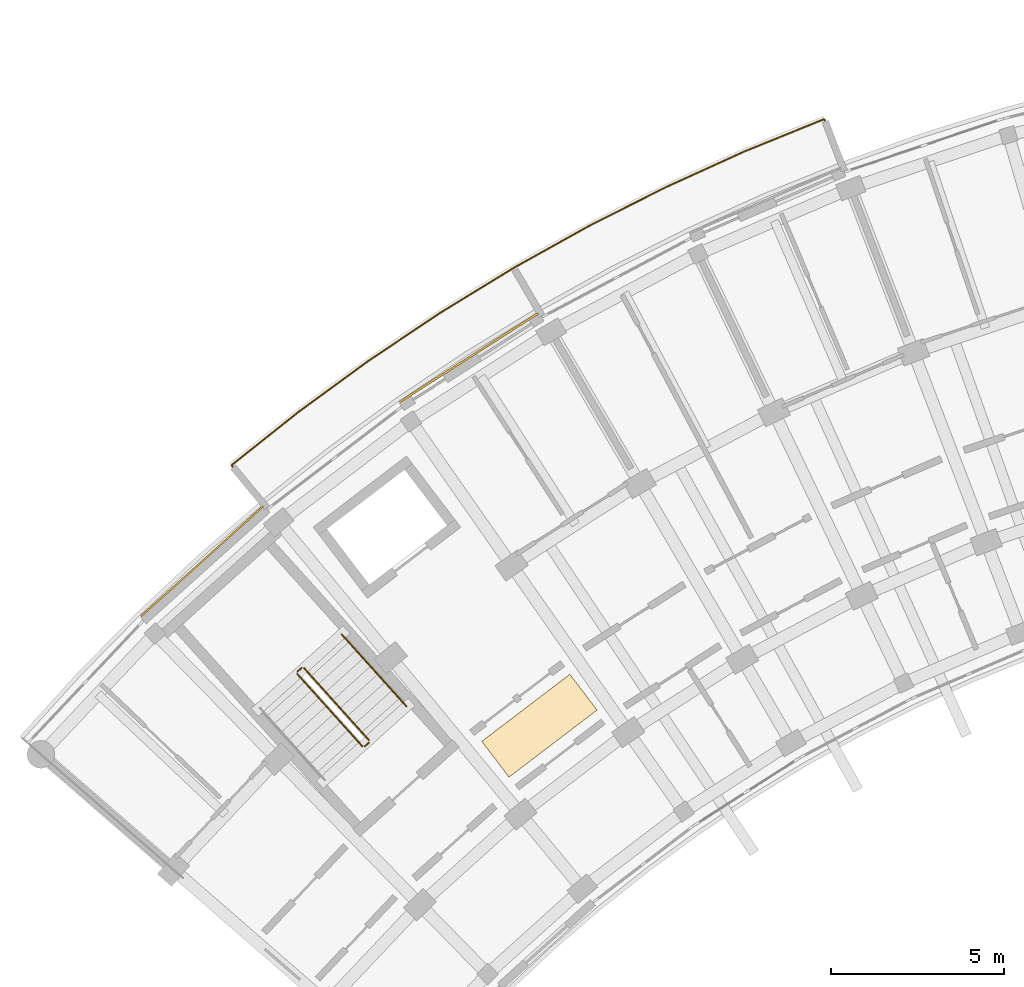
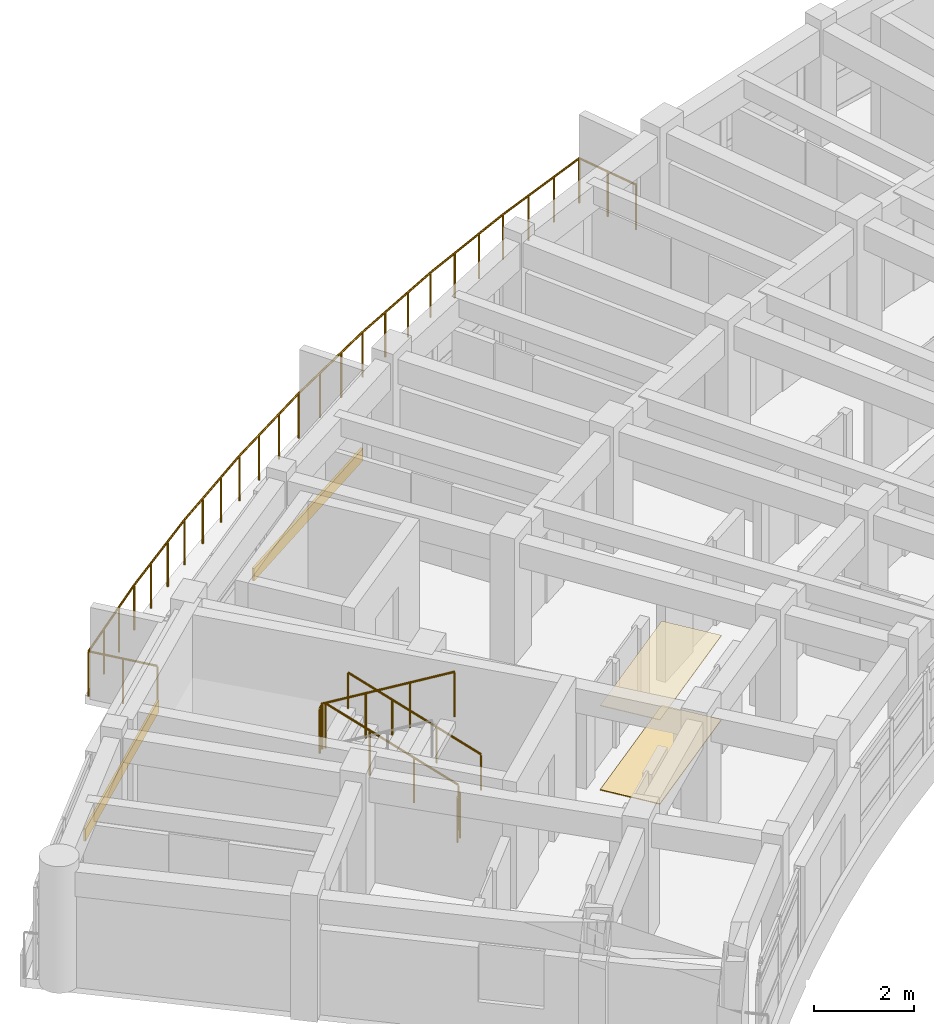
# One storey, part 43 of 55: 6 railings, 4 coverings.
"""IFC4 building model written with IfcOpenShell, lengths in metres."""

from ifc_helpers import new_model, si_unit, direction, frame, origin, origin_2d, place, context, subcontext, project, spatial, rectangle, circle, extrude, material, layer, layer_set, type_object, element, save


model = new_model("IFC4")

# Units and contexts
model_context = context("Model", 3, precision=1e-05, world=origin(), true_north=direction((0.0, 1.0)))
body_context = subcontext(model_context, "Body", "Model", "MODEL_VIEW")
ifc_project = project(units=[si_unit("LENGTHUNIT", "METRE"), si_unit("AREAUNIT", "SQUARE_METRE"), si_unit("VOLUMEUNIT", "CUBIC_METRE"), si_unit("PLANEANGLEUNIT", "RADIAN"), si_unit("MASSUNIT", "GRAM", prefix="KILO")], contexts=[model_context])

# Site, building, storey
site_placement = place(None, origin())
site = spatial("IfcSite", under=ifc_project, at=site_placement, CompositionType="ELEMENT")
building_placement = place(site_placement, origin())
building = spatial("IfcBuilding", under=site, at=building_placement, Name="Zimvara Arc Housing Community", CompositionType="ELEMENT")
storey_placement = place(building_placement, frame((0.0, 0.0, 14.300048828125)))
storey = spatial("IfcBuildingStorey", under=building, at=storey_placement, Name="L04", CompositionType="ELEMENT", Elevation=14.300048828125)

# Coverings
ifc_material_1 = material(Name="Pale-Gold Anodised Aluminium Cladding", Category="aluminium")
ifc_layer_1 = layer(ifc_material_1, 0.044921875)
ifc_layer_set_1 = layer_set([ifc_layer_1], Name="Pale-Gold Anodised Aluminium Cladding")
covering_type_1 = type_object("IfcCoveringType", Name="CLD-GOLD-02", PredefinedType="CLADDING", material=ifc_layer_set_1)
covering_1_placement = place(storey_placement, frame((5.220947265625, 88.710205078125, 0.009765625), z_axis=(0.0, 0.0, 1.0), x_axis=(0.74337718344, 0.668872456557, 0.0)))
element("IfcCovering", 1, at=covering_1_placement, inside=storey, type_object=covering_type_1, Name="cld:blkA:L04:out:b1", PredefinedType="CLADDING", context=body_context, shape_type="SweptSolid", body=[
    extrude(rectangle(XDim=4.748779296875, YDim=0.044921875, at=origin_2d()), origin(), (0.0, 0.0, 1.0), 0.300048828125),
])
ifc_material_2 = material(Name="Pale-Gold Anodised Aluminium Cladding", Category="aluminium")
ifc_layer_2 = layer(ifc_material_2, 0.054931640625)
ifc_layer_set_2 = layer_set([ifc_layer_2], Name="Pale-Gold Anodised Aluminium Cladding")
covering_type_2 = type_object("IfcCoveringType", Name="CLD-GOLD-04", PredefinedType="CLADDING", material=ifc_layer_set_2)
covering_2_placement = place(storey_placement, frame((12.935302734375, 94.599609375, 0.009765625), z_axis=(0.0, 0.0, 1.0), x_axis=(0.842265220048, 0.53906335351, 0.0)))
element("IfcCovering", 2, at=covering_2_placement, inside=storey, type_object=covering_type_2, Name="cld:blkA:L04:out:b3", PredefinedType="CLADDING", context=body_context, shape_type="SweptSolid", body=[
    extrude(rectangle(XDim=4.748779296875, YDim=0.054931640625, at=origin_2d()), origin(), (0.0, 0.0, 1.0), 0.300048828125),
])
ifc_material_3 = material(Name="Perforated Acoustic Ceiling Board")
ifc_layer_3 = layer(ifc_material_3, 0.01806640625)
ifc_layer_set_3 = layer_set([ifc_layer_3], Name="Perforated Acoustic Ceiling Board")
covering_type_3 = type_object("IfcCoveringType", Name="COV-CEIL-01", PredefinedType="CEILING", material=ifc_layer_set_3)
covering_3_placement = place(storey_placement, frame((14.974853515625, 83.959228515625, 2.06201171875), z_axis=(0.0, 0.0, 1.0), x_axis=(-0.605988400266, 0.795473480855, 0.0)))
element("IfcCovering", 3, at=covering_3_placement, inside=storey, type_object=covering_type_3, Name="ceil:blkA:L04", PredefinedType="CEILING", context=body_context, shape_type="SweptSolid", body=[
    extrude(rectangle(XDim=1.300048828125, YDim=3.199951171875, at=origin_2d()), origin(), (0.0, 0.0, 1.0), 0.01806640625),
])
ifc_material_4 = material(Name="Polished Coastal Sand Terrazzo")
ifc_layer_4 = layer(ifc_material_4, 0.02001953125)
ifc_layer_set_4 = layer_set([ifc_layer_4], Name="Polished Coastal Sand Terrazzo")
covering_type_4 = type_object("IfcCoveringType", Name="COV-FLOR-01", PredefinedType="FLOORING", material=ifc_layer_set_4)
covering_4_placement = place(storey_placement, frame((14.974853515625, 83.959228515625, 0.0), z_axis=(0.0, 0.0, 1.0), x_axis=(-0.605988400266, 0.795473480855, 0.0)))
element("IfcCovering", 4, at=covering_4_placement, inside=storey, type_object=covering_type_4, Name="flor:blkA:L04", PredefinedType="FLOORING", context=body_context, shape_type="SweptSolid", body=[
    extrude(rectangle(XDim=1.300048828125, YDim=3.199951171875, at=origin_2d()), origin(), (0.0, 0.0, 1.0), 0.02001953125),
])

# Railings
ifc_material_5 = material(Name="Anodised Aluminium AW-6063", Category="aluminium")
railing_type_1 = type_object("IfcRailingType", Name="RLG-BAL-1120", PredefinedType="BALUSTRADE", material=ifc_material_5)
railing_1_placement = place(storey_placement, frame((7.00927734375, 90.357666015625, 0.0)))
element("IfcRailing", 5, at=railing_1_placement, inside=storey, type_object=railing_type_1, Name="rlg:blkA:L04:bal_out_guard", PredefinedType="BALUSTRADE", context=body_context, shape_type="SweptSolid", body=[
    extrude(circle(Radius=0.02392578125, at=origin_2d()), frame((0.0, 0.0, 1.09619140625), z_axis=(-0.637992539284, 0.770042544161, 0.0), x_axis=(-0.770042544161, -0.637992539284, 0.0)), (0.0, 0.0, 1.0), 1.4697265625),
    extrude(circle(Radius=0.02392578125, at=origin_2d()), frame((-0.937744140625, 1.1318359375, 1.09619140625), z_axis=(0.782948045611, 0.622087098302, 0.0), x_axis=(-0.622087098302, 0.782948045611, 0.0)), (0.0, 0.0, 1.0), 2.4921875),
    extrude(circle(Radius=0.02392578125, at=origin_2d()), frame((1.013427734375, 2.68212890625, 1.09619140625), z_axis=(0.80765852685, 0.589650493095, 0.0), x_axis=(-0.589650493095, 0.80765852685, 0.0)), (0.0, 0.0, 1.0), 2.49169921875),
    extrude(circle(Radius=0.02392578125, at=origin_2d()), frame((3.02587890625, 4.1513671875, 1.09619140625), z_axis=(0.83106930865, 0.556168863044, 0.0), x_axis=(-0.556168863044, 0.83106930865, 0.0)), (0.0, 0.0, 1.0), 2.491943359375),
    extrude(circle(Radius=0.02392578125, at=origin_2d()), frame((5.096923828125, 5.537353515625, 1.09619140625), z_axis=(0.853131649433, 0.521695685947, 0.0), x_axis=(-0.521695685947, 0.853131649433, 0.0)), (0.0, 0.0, 1.0), 2.491943359375),
    extrude(circle(Radius=0.02392578125, at=origin_2d()), frame((7.222900390625, 6.83740234375, 1.09619140625), z_axis=(0.873653060707, 0.486549411178, 0.0), x_axis=(-0.486549411178, 0.873653060707, 0.0)), (0.0, 0.0, 1.0), 2.491943359375),
    extrude(circle(Radius=0.02392578125, at=origin_2d()), frame((9.39990234375, 8.0498046875, 1.09619140625), z_axis=(0.892834384016, 0.450385127107, 0.0), x_axis=(-0.450385127107, 0.892834384016, 0.0)), (0.0, 0.0, 1.0), 2.491943359375),
    extrude(circle(Radius=0.02392578125, at=origin_2d()), frame((11.624755859375, 9.172119140625, 1.09619140625), z_axis=(0.910443630497, 0.413633165604, 0.0), x_axis=(-0.413633165604, 0.910443630497, 0.0)), (0.0, 0.0, 1.0), 2.491943359375),
    extrude(circle(Radius=0.02392578125, at=origin_2d()), frame((13.8935546875, 10.202880859375, 1.09619140625), z_axis=(0.926613832847, 0.37601436778, 0.0), x_axis=(-0.37601436778, 0.926613832847, 0.0)), (0.0, 0.0, 1.0), 2.491943359375),
    extrude(circle(Radius=0.02392578125, at=origin_2d()), frame((16.20263671875, 11.139892578125, 1.09619140625), z_axis=(0.357086323574, -0.934071387805, 0.0), x_axis=(0.934071387805, 0.357086323574, 0.0)), (0.0, 0.0, 1.0), 1.469970703125),
    extrude(circle(Radius=0.02099609375, at=origin_2d()), origin(), (0.0, 0.0, 1.0), 1.072021484375),
    extrude(circle(Radius=0.02099609375, at=origin_2d()), frame((-0.46875, 0.56591796875, 0.0)), (0.0, 0.0, 1.0), 1.072021484375),
    extrude(circle(Radius=0.02099609375, at=origin_2d()), frame((-0.937744140625, 1.1318359375, 0.0)), (0.0, 0.0, 1.0), 1.072021484375),
    extrude(circle(Radius=0.02099609375, at=origin_2d()), frame((-0.287353515625, 1.648681640625, 0.0)), (0.0, 0.0, 1.0), 1.072021484375),
    extrude(circle(Radius=0.02099609375, at=origin_2d()), frame((0.363037109375, 2.165283203125, 0.0)), (0.0, 0.0, 1.0), 1.072021484375),
    extrude(circle(Radius=0.02099609375, at=origin_2d()), frame((1.013427734375, 2.68212890625, 0.0)), (0.0, 0.0, 1.0), 1.072021484375),
    extrude(circle(Radius=0.02099609375, at=origin_2d()), frame((1.684326171875, 3.171875, 0.0)), (0.0, 0.0, 1.0), 1.072021484375),
    extrude(circle(Radius=0.02099609375, at=origin_2d()), frame((2.35498046875, 3.66162109375, 0.0)), (0.0, 0.0, 1.0), 1.072021484375),
    extrude(circle(Radius=0.02099609375, at=origin_2d()), frame((3.02587890625, 4.1513671875, 0.0)), (0.0, 0.0, 1.0), 1.072021484375),
    extrude(circle(Radius=0.02099609375, at=origin_2d()), frame((3.71630859375, 4.61328125, 0.0)), (0.0, 0.0, 1.0), 1.072021484375),
    extrude(circle(Radius=0.02099609375, at=origin_2d()), frame((4.406494140625, 5.075439453125, 0.0)), (0.0, 0.0, 1.0), 1.072021484375),
    extrude(circle(Radius=0.02099609375, at=origin_2d()), frame((5.096923828125, 5.537353515625, 0.0)), (0.0, 0.0, 1.0), 1.072021484375),
    extrude(circle(Radius=0.02099609375, at=origin_2d()), frame((5.8056640625, 5.970703125, 0.0)), (0.0, 0.0, 1.0), 1.072021484375),
    extrude(circle(Radius=0.02099609375, at=origin_2d()), frame((6.51416015625, 6.404052734375, 0.0)), (0.0, 0.0, 1.0), 1.072021484375),
    extrude(circle(Radius=0.02099609375, at=origin_2d()), frame((7.222900390625, 6.83740234375, 0.0)), (0.0, 0.0, 1.0), 1.072021484375),
    extrude(circle(Radius=0.02099609375, at=origin_2d()), frame((7.948486328125, 7.241455078125, 0.0)), (0.0, 0.0, 1.0), 1.072021484375),
    extrude(circle(Radius=0.02099609375, at=origin_2d()), frame((8.67431640625, 7.645751953125, 0.0)), (0.0, 0.0, 1.0), 1.072021484375),
    extrude(circle(Radius=0.02099609375, at=origin_2d()), frame((9.39990234375, 8.0498046875, 0.0)), (0.0, 0.0, 1.0), 1.072021484375),
    extrude(circle(Radius=0.02099609375, at=origin_2d()), frame((10.1416015625, 8.423828125, 0.0)), (0.0, 0.0, 1.0), 1.072021484375),
    extrude(circle(Radius=0.02099609375, at=origin_2d()), frame((10.883056640625, 8.798095703125, 0.0)), (0.0, 0.0, 1.0), 1.072021484375),
    extrude(circle(Radius=0.02099609375, at=origin_2d()), frame((11.624755859375, 9.172119140625, 0.0)), (0.0, 0.0, 1.0), 1.072021484375),
    extrude(circle(Radius=0.02099609375, at=origin_2d()), frame((12.381103515625, 9.515625, 0.0)), (0.0, 0.0, 1.0), 1.072021484375),
    extrude(circle(Radius=0.02099609375, at=origin_2d()), frame((13.13720703125, 9.859375, 0.0)), (0.0, 0.0, 1.0), 1.072021484375),
    extrude(circle(Radius=0.02099609375, at=origin_2d()), frame((13.8935546875, 10.202880859375, 0.0)), (0.0, 0.0, 1.0), 1.072021484375),
    extrude(circle(Radius=0.02099609375, at=origin_2d()), frame((14.663330078125, 10.51513671875, 0.0)), (0.0, 0.0, 1.0), 1.072021484375),
    extrude(circle(Radius=0.02099609375, at=origin_2d()), frame((15.432861328125, 10.82763671875, 0.0)), (0.0, 0.0, 1.0), 1.072021484375),
    extrude(circle(Radius=0.02099609375, at=origin_2d()), frame((16.20263671875, 11.139892578125, 0.0)), (0.0, 0.0, 1.0), 1.072021484375),
    extrude(circle(Radius=0.02099609375, at=origin_2d()), frame((16.465087890625, 10.453369140625, 0.0)), (0.0, 0.0, 1.0), 1.072021484375),
    extrude(circle(Radius=0.02099609375, at=origin_2d()), frame((16.7275390625, 9.766845703125, 0.0)), (0.0, 0.0, 1.0), 1.072021484375),
])
railing_2_placement = place(storey_placement, frame((10.0478515625, 83.5400390625, 0.155029296875)))
element("IfcRailing", 6, at=railing_2_placement, inside=storey, type_object=railing_type_1, Name="L04 ST-A1 stair guard 1", PredefinedType="BALUSTRADE", context=body_context, shape_type="SweptSolid", body=[
    extrude(circle(Radius=0.02392578125, at=origin_2d()), frame((0.0, 0.0, 1.09619140625), z_axis=(-0.599018063854, 0.665748660595, 0.444922555162), x_axis=(-0.743380604779, -0.668868654101, 0.0)), (0.0, 0.0, 1.0), 3.135498046875),
    extrude(circle(Radius=0.02099609375, at=origin_2d()), origin(), (0.0, 0.0, 1.0), 1.072021484375),
    extrude(circle(Radius=0.02099609375, at=origin_2d()), frame((-0.6259765625, 0.69580078125, 0.465087890625)), (0.0, 0.0, 1.0), 1.072021484375),
    extrude(circle(Radius=0.02099609375, at=origin_2d()), frame((-1.252197265625, 1.3916015625, 0.929931640625)), (0.0, 0.0, 1.0), 1.072021484375),
    extrude(circle(Radius=0.02099609375, at=origin_2d()), frame((-1.878173828125, 2.08740234375, 1.39501953125)), (0.0, 0.0, 1.0), 1.072021484375),
])
railing_3_placement = place(storey_placement, frame((8.098876953125, 85.631103515625, 1.550048828125)))
element("IfcRailing", 7, at=railing_3_placement, inside=storey, type_object=railing_type_1, Name="L04 ST-A1 stair guard 2", PredefinedType="BALUSTRADE", context=body_context, shape_type="SweptSolid", body=[
    extrude(circle(Radius=0.02392578125, at=origin_2d()), frame((0.0, 0.0, 1.09619140625), z_axis=(-0.743521848755, -0.668711642207, 0.0), x_axis=(0.668711642207, -0.743521848755, 0.0)), (0.0, 0.0, 1.0), 0.159912109375),
    extrude(circle(Radius=0.02099609375, at=origin_2d()), origin(), (0.0, 0.0, 1.0), 1.072021484375),
    extrude(circle(Radius=0.02099609375, at=origin_2d()), frame((-0.118896484375, -0.10693359375, 0.0)), (0.0, 0.0, 1.0), 1.072021484375),
])
railing_4_placement = place(storey_placement, frame((7.976318359375, 85.453369140625, 1.704833984375)))
element("IfcRailing", 8, at=railing_4_placement, inside=storey, type_object=railing_type_1, Name="L04 ST-A1 stair guard 3", PredefinedType="BALUSTRADE", context=body_context, shape_type="SweptSolid", body=[
    extrude(circle(Radius=0.02392578125, at=origin_2d()), frame((0.0, 0.0, 1.09619140625), z_axis=(0.599018063854, -0.665748660595, 0.444922555162), x_axis=(0.743380604779, 0.668868654101, 0.0)), (0.0, 0.0, 1.0), 3.135498046875),
    extrude(circle(Radius=0.02099609375, at=origin_2d()), origin(), (0.0, 0.0, 1.0), 1.072021484375),
    extrude(circle(Radius=0.02099609375, at=origin_2d()), frame((0.6259765625, -0.69580078125, 0.465087890625)), (0.0, 0.0, 1.0), 1.072021484375),
    extrude(circle(Radius=0.02099609375, at=origin_2d()), frame((1.252197265625, -1.3916015625, 0.929931640625)), (0.0, 0.0, 1.0), 1.072021484375),
    extrude(circle(Radius=0.02099609375, at=origin_2d()), frame((1.878173828125, -2.08740234375, 1.39501953125)), (0.0, 0.0, 1.0), 1.072021484375),
])
railing_5_placement = place(storey_placement, frame((10.0439453125, 83.469482421875, 0.0)))
element("IfcRailing", 9, at=railing_5_placement, inside=storey, type_object=railing_type_1, Name="L04 ST-A1 stair guard 4", PredefinedType="BALUSTRADE", context=body_context, shape_type="SweptSolid", body=[
    extrude(circle(Radius=0.02392578125, at=origin_2d()), frame((0.0, 0.0, 1.09619140625), z_axis=(-0.742763048172, -0.669554369913, 0.0), x_axis=(0.669554369913, -0.742763048172, 0.0)), (0.0, 0.0, 1.0), 0.16015625),
    extrude(circle(Radius=0.02099609375, at=origin_2d()), origin(), (0.0, 0.0, 1.0), 1.072021484375),
    extrude(circle(Radius=0.02099609375, at=origin_2d()), frame((-0.118896484375, -0.107177734375, 0.0)), (0.0, 0.0, 1.0), 1.072021484375),
])
ifc_material_6 = material(Name="Anodised Aluminium AW-6063", Category="aluminium")
railing_type_2 = type_object("IfcRailingType", Name="RLG-HND-900", PredefinedType="HANDRAIL", material=ifc_material_6)
railing_6_placement = place(storey_placement, frame((11.133056640625, 84.5166015625, 0.155029296875)))
element("IfcRailing", 10, at=railing_6_placement, inside=storey, type_object=railing_type_2, Name="L04 ST-A1 stair handrail 1", PredefinedType="HANDRAIL", context=body_context, shape_type="SweptSolid", body=[
    extrude(circle(Radius=0.02392578125, at=origin_2d()), frame((0.0, 0.0, 0.8759765625), z_axis=(-0.599018063854, 0.665748660595, 0.444922555162), x_axis=(-0.743380604779, -0.668868654101, 0.0)), (0.0, 0.0, 1.0), 3.135498046875),
    extrude(circle(Radius=0.02099609375, at=origin_2d()), origin(), (0.0, 0.0, 1.0), 0.851806640625),
    extrude(circle(Radius=0.02099609375, at=origin_2d()), frame((-0.6259765625, 0.69580078125, 0.465087890625)), (0.0, 0.0, 1.0), 0.851806640625),
    extrude(circle(Radius=0.02099609375, at=origin_2d()), frame((-1.252197265625, 1.3916015625, 0.929931640625)), (0.0, 0.0, 1.0), 0.851806640625),
    extrude(circle(Radius=0.02099609375, at=origin_2d()), frame((-1.878173828125, 2.08740234375, 1.39501953125)), (0.0, 0.0, 1.0), 0.851806640625),
])

save(model, "model.ifc")
